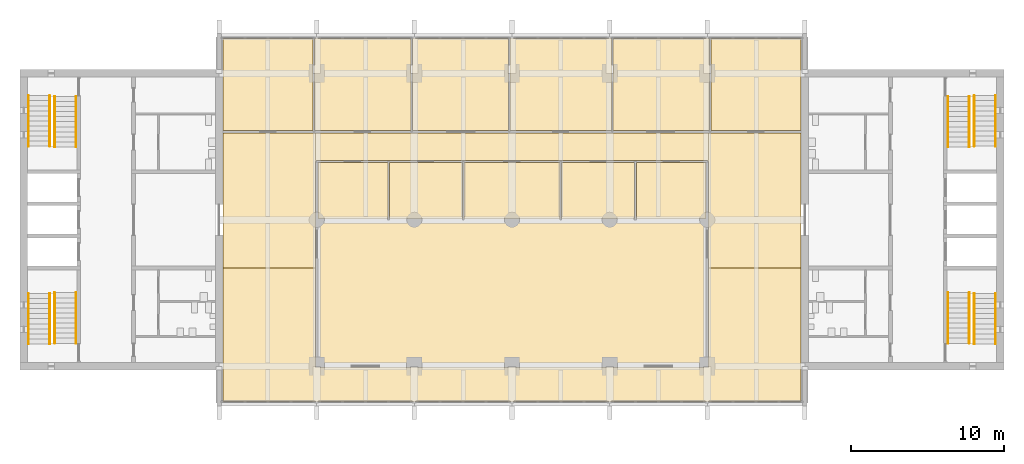
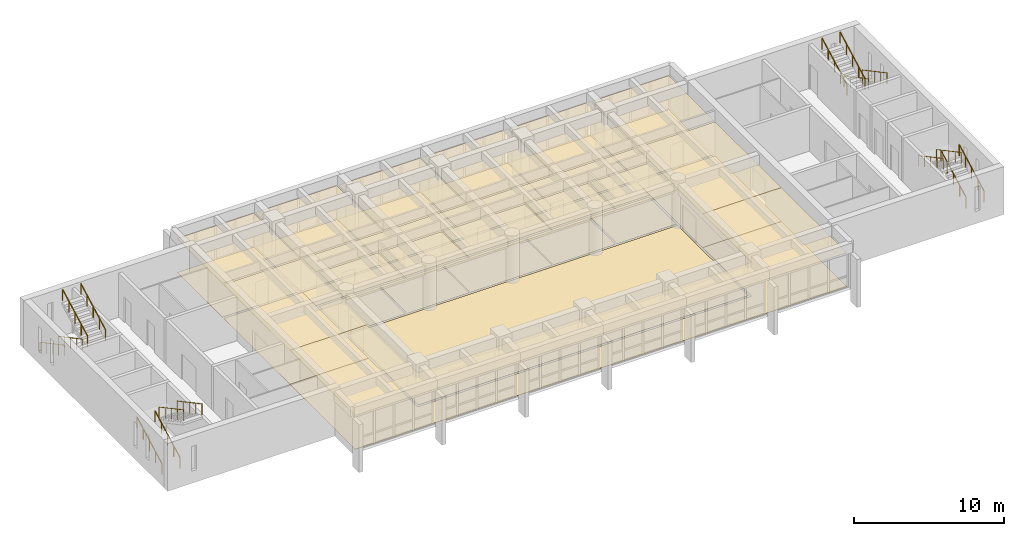
# One storey, part 14 of 15: 31 coverings, 16 railings.
"""IFC4 building model written with IfcOpenShell, lengths in metres."""

from ifc_helpers import new_model, si_unit, direction, frame, origin, origin_2d, place, context, subcontext, project, spatial, polyline, circle, outline, extrude, material, layer, layer_set, type_object, element, save


model = new_model("IFC4")

# Units and contexts
model_context = context("Model", 3, precision=1e-05, world=origin(), true_north=direction((0.0, 1.0)))
body_context = subcontext(model_context, "Body", "Model", "MODEL_VIEW")
ifc_project = project(units=[si_unit("LENGTHUNIT", "METRE"), si_unit("AREAUNIT", "SQUARE_METRE"), si_unit("VOLUMEUNIT", "CUBIC_METRE"), si_unit("PLANEANGLEUNIT", "RADIAN"), si_unit("MASSUNIT", "GRAM", prefix="KILO")], contexts=[model_context])

# Site, building, storey
site_placement = place(None, origin())
site = spatial("IfcSite", under=ifc_project, at=site_placement, CompositionType="ELEMENT")
building_placement = place(site_placement, origin())
building = spatial("IfcBuilding", under=site, at=building_placement, Name="Fogon Plaza Fire Station and Headquarters Tower", CompositionType="ELEMENT")
storey_placement = place(building_placement, frame((0.0, 0.0, 32.699951171875)))
storey = spatial("IfcBuildingStorey", under=building, at=storey_placement, Name="L08", CompositionType="ELEMENT", Elevation=32.699951171875)

# Railings
ifc_material_1 = material(Name="Steel", Category="steel")
railing_type = type_object("IfcRailingType", Name="Stair Handrail 900", PredefinedType="HANDRAIL", material=ifc_material_1)
for number, where, name in (
    (1, (13.10009765625, 35.06005859375, 0.17724609375), "Handrail ST1"),
    (2, (14.5, 35.06005859375, 0.17724609375), "Handrail ST1"),
):
    element("IfcRailing", number, at=place(storey_placement, frame(where)), inside=storey, type_object=railing_type, Name=name, PredefinedType="HANDRAIL", context=body_context, shape_type="SweptSolid", body=[
        extrude(circle(Radius=0.02392578125, at=origin_2d()), frame((0.0, 0.0, 0.8759765625), z_axis=(0.0, 0.881829236777, 0.471568867892), x_axis=(-1.0, 0.0, 0.0)), (0.0, 0.0, 1.0), 3.75927734375),
        extrude(circle(Radius=0.02099609375, at=origin_2d()), origin(), (0.0, 0.0, 1.0), 0.851806640625),
        extrude(circle(Radius=0.02099609375, at=origin_2d()), frame((0.0, 0.82861328125, 0.443115234375)), (0.0, 0.0, 1.0), 0.851806640625),
        extrude(circle(Radius=0.02099609375, at=origin_2d()), frame((0.0, 1.657470703125, 0.88623046875)), (0.0, 0.0, 1.0), 0.851806640625),
        extrude(circle(Radius=0.02099609375, at=origin_2d()), frame((0.0, 2.486328125, 1.32958984375)), (0.0, 0.0, 1.0), 0.851806640625),
        extrude(circle(Radius=0.02099609375, at=origin_2d()), frame((0.0, 3.31494140625, 1.772705078125)), (0.0, 0.0, 1.0), 0.851806640625),
    ])
for number, where, name in (
    (3, (16.22509765625, 38.425048828125, 2.12744140625), "Handrail ST1"),
    (4, (14.824951171875, 38.425048828125, 2.12744140625), "Handrail ST1"),
):
    element("IfcRailing", number, at=place(storey_placement, frame(where)), inside=storey, type_object=railing_type, Name=name, PredefinedType="HANDRAIL", context=body_context, shape_type="SweptSolid", body=[
        extrude(circle(Radius=0.02392578125, at=origin_2d()), frame((0.0, 0.0, 0.8759765625), z_axis=(0.0, -0.881829236777, 0.471568867892), x_axis=(1.0, 0.0, 0.0)), (0.0, 0.0, 1.0), 3.75927734375),
        extrude(circle(Radius=0.02099609375, at=origin_2d()), origin(), (0.0, 0.0, 1.0), 0.851806640625),
        extrude(circle(Radius=0.02099609375, at=origin_2d()), frame((0.0, -0.82861328125, 0.443115234375)), (0.0, 0.0, 1.0), 0.851806640625),
        extrude(circle(Radius=0.02099609375, at=origin_2d()), frame((0.0, -1.657470703125, 0.88623046875)), (0.0, 0.0, 1.0), 0.851806640625),
        extrude(circle(Radius=0.02099609375, at=origin_2d()), frame((0.0, -2.486328125, 1.32958984375)), (0.0, 0.0, 1.0), 0.851806640625),
        extrude(circle(Radius=0.02099609375, at=origin_2d()), frame((0.0, -3.31494140625, 1.772705078125)), (0.0, 0.0, 1.0), 0.851806640625),
    ])
for number, where, name in (
    (5, (13.10009765625, 51.340087890625, 0.17724609375), "Handrail ST2"),
    (6, (14.5, 51.340087890625, 0.17724609375), "Handrail ST2"),
):
    element("IfcRailing", number, at=place(storey_placement, frame(where)), inside=storey, type_object=railing_type, Name=name, PredefinedType="HANDRAIL", context=body_context, shape_type="SweptSolid", body=[
        extrude(circle(Radius=0.02392578125, at=origin_2d()), frame((0.0, 0.0, 0.8759765625), z_axis=(0.0, -0.881843677922, 0.471541862095), x_axis=(1.0, 0.0, 0.0)), (0.0, 0.0, 1.0), 3.75927734375),
        extrude(circle(Radius=0.02099609375, at=origin_2d()), origin(), (0.0, 0.0, 1.0), 0.851806640625),
        extrude(circle(Radius=0.02099609375, at=origin_2d()), frame((0.0, -0.828857421875, 0.443115234375)), (0.0, 0.0, 1.0), 0.851806640625),
        extrude(circle(Radius=0.02099609375, at=origin_2d()), frame((0.0, -1.65771484375, 0.88623046875)), (0.0, 0.0, 1.0), 0.851806640625),
        extrude(circle(Radius=0.02099609375, at=origin_2d()), frame((0.0, -2.486328125, 1.32958984375)), (0.0, 0.0, 1.0), 0.851806640625),
        extrude(circle(Radius=0.02099609375, at=origin_2d()), frame((0.0, -3.315185546875, 1.772705078125)), (0.0, 0.0, 1.0), 0.851806640625),
    ])
for number, where, name in (
    (7, (16.22509765625, 47.97509765625, 2.12744140625), "Handrail ST2"),
    (8, (14.824951171875, 47.97509765625, 2.12744140625), "Handrail ST2"),
    (9, (76.5, 35.06005859375, 0.17724609375), "Handrail ST3"),
    (10, (75.10009765625, 35.06005859375, 0.17724609375), "Handrail ST3"),
):
    element("IfcRailing", number, at=place(storey_placement, frame(where)), inside=storey, type_object=railing_type, Name=name, PredefinedType="HANDRAIL", context=body_context, shape_type="SweptSolid", body=[
        extrude(circle(Radius=0.02392578125, at=origin_2d()), frame((0.0, 0.0, 0.8759765625), z_axis=(0.0, 0.881829236777, 0.471568867892), x_axis=(-1.0, 0.0, 0.0)), (0.0, 0.0, 1.0), 3.75927734375),
        extrude(circle(Radius=0.02099609375, at=origin_2d()), origin(), (0.0, 0.0, 1.0), 0.851806640625),
        extrude(circle(Radius=0.02099609375, at=origin_2d()), frame((0.0, 0.82861328125, 0.443115234375)), (0.0, 0.0, 1.0), 0.851806640625),
        extrude(circle(Radius=0.02099609375, at=origin_2d()), frame((0.0, 1.657470703125, 0.88623046875)), (0.0, 0.0, 1.0), 0.851806640625),
        extrude(circle(Radius=0.02099609375, at=origin_2d()), frame((0.0, 2.486328125, 1.32958984375)), (0.0, 0.0, 1.0), 0.851806640625),
        extrude(circle(Radius=0.02099609375, at=origin_2d()), frame((0.0, 3.31494140625, 1.772705078125)), (0.0, 0.0, 1.0), 0.851806640625),
    ])
for number, where, name in (
    (11, (73.375, 38.425048828125, 2.12744140625), "Handrail ST3"),
    (12, (74.77490234375, 38.425048828125, 2.12744140625), "Handrail ST3"),
):
    element("IfcRailing", number, at=place(storey_placement, frame(where)), inside=storey, type_object=railing_type, Name=name, PredefinedType="HANDRAIL", context=body_context, shape_type="SweptSolid", body=[
        extrude(circle(Radius=0.02392578125, at=origin_2d()), frame((0.0, 0.0, 0.8759765625), z_axis=(0.0, -0.881829236777, 0.471568867892), x_axis=(1.0, 0.0, 0.0)), (0.0, 0.0, 1.0), 3.75927734375),
        extrude(circle(Radius=0.02099609375, at=origin_2d()), origin(), (0.0, 0.0, 1.0), 0.851806640625),
        extrude(circle(Radius=0.02099609375, at=origin_2d()), frame((0.0, -0.82861328125, 0.443115234375)), (0.0, 0.0, 1.0), 0.851806640625),
        extrude(circle(Radius=0.02099609375, at=origin_2d()), frame((0.0, -1.657470703125, 0.88623046875)), (0.0, 0.0, 1.0), 0.851806640625),
        extrude(circle(Radius=0.02099609375, at=origin_2d()), frame((0.0, -2.486328125, 1.32958984375)), (0.0, 0.0, 1.0), 0.851806640625),
        extrude(circle(Radius=0.02099609375, at=origin_2d()), frame((0.0, -3.31494140625, 1.772705078125)), (0.0, 0.0, 1.0), 0.851806640625),
    ])
for number, where, name in (
    (13, (76.5, 51.340087890625, 0.17724609375), "Handrail ST4"),
    (14, (75.10009765625, 51.340087890625, 0.17724609375), "Handrail ST4"),
):
    element("IfcRailing", number, at=place(storey_placement, frame(where)), inside=storey, type_object=railing_type, Name=name, PredefinedType="HANDRAIL", context=body_context, shape_type="SweptSolid", body=[
        extrude(circle(Radius=0.02392578125, at=origin_2d()), frame((0.0, 0.0, 0.8759765625), z_axis=(0.0, -0.881843677922, 0.471541862095), x_axis=(1.0, 0.0, 0.0)), (0.0, 0.0, 1.0), 3.75927734375),
        extrude(circle(Radius=0.02099609375, at=origin_2d()), origin(), (0.0, 0.0, 1.0), 0.851806640625),
        extrude(circle(Radius=0.02099609375, at=origin_2d()), frame((0.0, -0.828857421875, 0.443115234375)), (0.0, 0.0, 1.0), 0.851806640625),
        extrude(circle(Radius=0.02099609375, at=origin_2d()), frame((0.0, -1.65771484375, 0.88623046875)), (0.0, 0.0, 1.0), 0.851806640625),
        extrude(circle(Radius=0.02099609375, at=origin_2d()), frame((0.0, -2.486328125, 1.32958984375)), (0.0, 0.0, 1.0), 0.851806640625),
        extrude(circle(Radius=0.02099609375, at=origin_2d()), frame((0.0, -3.315185546875, 1.772705078125)), (0.0, 0.0, 1.0), 0.851806640625),
    ])
for number, where, name in (
    (15, (73.375, 47.97509765625, 2.12744140625), "Handrail ST4"),
    (16, (74.77490234375, 47.97509765625, 2.12744140625), "Handrail ST4"),
):
    element("IfcRailing", number, at=place(storey_placement, frame(where)), inside=storey, type_object=railing_type, Name=name, PredefinedType="HANDRAIL", context=body_context, shape_type="SweptSolid", body=[
        extrude(circle(Radius=0.02392578125, at=origin_2d()), frame((0.0, 0.0, 0.8759765625), z_axis=(0.0, 0.881829236777, 0.471568867892), x_axis=(-1.0, 0.0, 0.0)), (0.0, 0.0, 1.0), 3.75927734375),
        extrude(circle(Radius=0.02099609375, at=origin_2d()), origin(), (0.0, 0.0, 1.0), 0.851806640625),
        extrude(circle(Radius=0.02099609375, at=origin_2d()), frame((0.0, 0.82861328125, 0.443115234375)), (0.0, 0.0, 1.0), 0.851806640625),
        extrude(circle(Radius=0.02099609375, at=origin_2d()), frame((0.0, 1.657470703125, 0.88623046875)), (0.0, 0.0, 1.0), 0.851806640625),
        extrude(circle(Radius=0.02099609375, at=origin_2d()), frame((0.0, 2.486328125, 1.32958984375)), (0.0, 0.0, 1.0), 0.851806640625),
        extrude(circle(Radius=0.02099609375, at=origin_2d()), frame((0.0, 3.31494140625, 1.772705078125)), (0.0, 0.0, 1.0), 0.851806640625),
    ])

# Coverings
ifc_material_2 = material(Name="Acoustic ceiling tile")
ifc_layer_1 = layer(ifc_material_2, 0.050048828125)
ifc_layer_set_1 = layer_set([ifc_layer_1], Name="Acoustic ceiling tile")
covering_type_1 = type_object("IfcCoveringType", Name="Tower acoustic ceiling", PredefinedType="CEILING", material=ifc_layer_set_1)
covering_1_placement = place(storey_placement, frame((0.0, 0.0, 2.72998046875)))
element("IfcCovering", 17, at=covering_1_placement, inside=storey, type_object=covering_type_1, Name="cov-cl-L08-03", PredefinedType="CEILING", context=body_context, shape_type="SweptSolid", body=[
    extrude(outline(polyline([(47.96240234375, 43.27490234375), (47.96240234375, 46.949951171875), (41.637451171875, 46.949951171875), (41.637451171875, 43.27490234375), (47.96240234375, 43.27490234375)])), origin(), (0.0, 0.0, 1.0), 0.050048828125),
])
covering_2_placement = place(storey_placement, frame((0.0, 0.0, 2.72998046875)))
element("IfcCovering", 18, at=covering_2_placement, inside=storey, type_object=covering_type_1, Name="cov-cl-L08-04", PredefinedType="CEILING", context=body_context, shape_type="SweptSolid", body=[
    extrude(outline(polyline([(52.827392578125, 43.27490234375), (52.827392578125, 46.949951171875), (48.03759765625, 46.949951171875), (48.03759765625, 43.27490234375), (52.827392578125, 43.27490234375)])), origin(), (0.0, 0.0, 1.0), 0.050048828125),
])
covering_3_placement = place(storey_placement, frame((0.0, 0.0, 2.72998046875)))
element("IfcCovering", 19, at=covering_3_placement, inside=storey, type_object=covering_type_1, Name="cov-cl-L08-09", PredefinedType="CEILING", context=body_context, shape_type="SweptSolid", body=[
    extrude(outline(polyline([(51.342529296875, 49.050048828125), (51.342529296875, 55.10009765625), (44.657470703125, 55.10009765625), (44.657470703125, 49.050048828125), (51.342529296875, 49.050048828125)])), origin(), (0.0, 0.0, 1.0), 0.050048828125),
])
ifc_material_3 = material(Name="Carpet tile")
ifc_layer_2 = layer(ifc_material_3, 0.011962890625)
ifc_layer_set_2 = layer_set([ifc_layer_2], Name="Carpet tile")
covering_type_2 = type_object("IfcCoveringType", Name="Tower carpet tile floor", PredefinedType="FLOORING", material=ifc_layer_set_2)
covering_4_placement = place(storey_placement, origin())
element("IfcCovering", 20, at=covering_4_placement, inside=storey, type_object=covering_type_2, Name="cov-fl-L08-01", PredefinedType="FLOORING", context=body_context, shape_type="SweptSolid", body=[
    extrude(outline(polyline([(36.659912109375, 43.27490234375), (36.659912109375, 46.949951171875), (32.074951171875, 46.949951171875), (32.074951171875, 43.27490234375), (36.659912109375, 43.27490234375)])), origin(), (0.0, 0.0, 1.0), 0.011962890625),
])
covering_5_placement = place(storey_placement, origin())
element("IfcCovering", 21, at=covering_5_placement, inside=storey, type_object=covering_type_2, Name="cov-fl-L08-02", PredefinedType="FLOORING", context=body_context, shape_type="SweptSolid", body=[
    extrude(outline(polyline([(41.5625, 43.27490234375), (41.5625, 46.949951171875), (36.760009765625, 46.949951171875), (36.760009765625, 43.27490234375), (41.5625, 43.27490234375)])), origin(), (0.0, 0.0, 1.0), 0.011962890625),
])
covering_6_placement = place(storey_placement, origin())
element("IfcCovering", 22, at=covering_6_placement, inside=storey, type_object=covering_type_2, Name="cov-fl-L08-03", PredefinedType="FLOORING", context=body_context, shape_type="SweptSolid", body=[
    extrude(outline(polyline([(47.96240234375, 43.27490234375), (47.96240234375, 46.949951171875), (41.637451171875, 46.949951171875), (41.637451171875, 43.27490234375), (47.96240234375, 43.27490234375)])), origin(), (0.0, 0.0, 1.0), 0.011962890625),
])
covering_7_placement = place(storey_placement, origin())
element("IfcCovering", 23, at=covering_7_placement, inside=storey, type_object=covering_type_2, Name="cov-fl-L08-04", PredefinedType="FLOORING", context=body_context, shape_type="SweptSolid", body=[
    extrude(outline(polyline([(52.827392578125, 43.27490234375), (52.827392578125, 46.949951171875), (48.03759765625, 46.949951171875), (48.03759765625, 43.27490234375), (52.827392578125, 43.27490234375)])), origin(), (0.0, 0.0, 1.0), 0.011962890625),
])
covering_8_placement = place(storey_placement, origin())
element("IfcCovering", 24, at=covering_8_placement, inside=storey, type_object=covering_type_2, Name="cov-fl-L08-06", PredefinedType="FLOORING", context=body_context, shape_type="SweptSolid", body=[
    extrude(outline(polyline([(31.77001953125, 49.050048828125), (31.77001953125, 55.10009765625), (25.85009765625, 55.10009765625), (25.85009765625, 49.050048828125), (31.77001953125, 49.050048828125)])), origin(), (0.0, 0.0, 1.0), 0.011962890625),
])
covering_9_placement = place(storey_placement, origin())
element("IfcCovering", 25, at=covering_9_placement, inside=storey, type_object=covering_type_2, Name="cov-fl-L08-07", PredefinedType="FLOORING", context=body_context, shape_type="SweptSolid", body=[
    extrude(outline(polyline([(38.169921875, 49.050048828125), (38.169921875, 55.10009765625), (31.8701171875, 55.10009765625), (31.8701171875, 49.050048828125), (38.169921875, 49.050048828125)])), origin(), (0.0, 0.0, 1.0), 0.011962890625),
])
covering_10_placement = place(storey_placement, origin())
element("IfcCovering", 26, at=covering_10_placement, inside=storey, type_object=covering_type_2, Name="cov-fl-L08-08", PredefinedType="FLOORING", context=body_context, shape_type="SweptSolid", body=[
    extrude(outline(polyline([(44.58251953125, 49.050048828125), (44.58251953125, 55.10009765625), (38.27001953125, 55.10009765625), (38.27001953125, 49.050048828125), (44.58251953125, 49.050048828125)])), origin(), (0.0, 0.0, 1.0), 0.011962890625),
])
covering_11_placement = place(storey_placement, origin())
element("IfcCovering", 27, at=covering_11_placement, inside=storey, type_object=covering_type_2, Name="cov-fl-L08-09", PredefinedType="FLOORING", context=body_context, shape_type="SweptSolid", body=[
    extrude(outline(polyline([(51.342529296875, 49.050048828125), (51.342529296875, 55.10009765625), (44.657470703125, 55.10009765625), (44.657470703125, 49.050048828125), (51.342529296875, 49.050048828125)])), origin(), (0.0, 0.0, 1.0), 0.011962890625),
])
covering_12_placement = place(storey_placement, origin())
element("IfcCovering", 28, at=covering_12_placement, inside=storey, type_object=covering_type_2, Name="cov-fl-L08-10", PredefinedType="FLOORING", context=body_context, shape_type="SweptSolid", body=[
    extrude(outline(polyline([(57.72998046875, 49.050048828125), (57.72998046875, 55.10009765625), (51.41748046875, 55.10009765625), (51.41748046875, 49.050048828125), (57.72998046875, 49.050048828125)])), origin(), (0.0, 0.0, 1.0), 0.011962890625),
])
covering_13_placement = place(storey_placement, origin())
element("IfcCovering", 29, at=covering_13_placement, inside=storey, type_object=covering_type_2, Name="cov-fl-L08-11", PredefinedType="FLOORING", context=body_context, shape_type="SweptSolid", body=[
    extrude(outline(polyline([(63.75, 49.050048828125), (63.75, 55.10009765625), (57.830078125, 55.10009765625), (57.830078125, 49.050048828125), (63.75, 49.050048828125)])), origin(), (0.0, 0.0, 1.0), 0.011962890625),
])
ifc_material_4 = material(Name="Ceramic tile")
ifc_layer_3 = layer(ifc_material_4, 0.02001953125)
ifc_layer_set_3 = layer_set([ifc_layer_3], Name="Ceramic tile")
covering_type_3 = type_object("IfcCoveringType", Name="Tower ceramic tile floor", PredefinedType="FLOORING", material=ifc_layer_set_3)
covering_14_placement = place(storey_placement, origin())
element("IfcCovering", 30, at=covering_14_placement, inside=storey, type_object=covering_type_3, Name="cov-fl-L08-05", PredefinedType="FLOORING", context=body_context, shape_type="SweptSolid", body=[
    extrude(outline(polyline([(57.52490234375, 43.27490234375), (57.52490234375, 46.949951171875), (52.952392578125, 46.949951171875), (52.952392578125, 43.27490234375), (57.52490234375, 43.27490234375)])), origin(), (0.0, 0.0, 1.0), 0.02001953125),
])
ifc_material_5 = material(Name="Heavy duty carpet tile")
ifc_layer_4 = layer(ifc_material_5, 0.013916015625)
ifc_layer_set_4 = layer_set([ifc_layer_4], Name="Heavy duty carpet tile")
covering_type_4 = type_object("IfcCoveringType", Name="Tower corridor carpet floor", PredefinedType="FLOORING", material=ifc_layer_set_4)
covering_15_placement = place(storey_placement, origin())
element("IfcCovering", 31, at=covering_15_placement, inside=storey, type_object=covering_type_4, Name="cov-fl-L08-13", PredefinedType="FLOORING", context=body_context, shape_type="SweptSolid", body=[
    extrude(outline(polyline([(31.925048828125, 40.050048828125), (31.925048828125, 48.89990234375), (25.85009765625, 48.89990234375), (25.85009765625, 40.050048828125), (31.925048828125, 40.050048828125)])), origin(), (0.0, 0.0, 1.0), 0.01416015625),
])
covering_16_placement = place(storey_placement, origin())
element("IfcCovering", 32, at=covering_16_placement, inside=storey, type_object=covering_type_4, Name="cov-fl-L08-14", PredefinedType="FLOORING", context=body_context, shape_type="SweptSolid", body=[
    extrude(outline(polyline([(63.75, 40.050048828125), (63.75, 48.89990234375), (57.675048828125, 48.89990234375), (57.675048828125, 40.050048828125), (63.75, 40.050048828125)])), origin(), (0.0, 0.0, 1.0), 0.01416015625),
])
covering_17_placement = place(storey_placement, origin())
element("IfcCovering", 33, at=covering_17_placement, inside=storey, type_object=covering_type_4, Name="cov-fl-L08-15", PredefinedType="FLOORING", context=body_context, shape_type="SweptSolid", body=[
    extrude(outline(polyline([(57.675048828125, 47.10009765625), (57.675048828125, 48.89990234375), (31.925048828125, 48.89990234375), (31.925048828125, 47.10009765625), (57.675048828125, 47.10009765625)])), origin(), (0.0, 0.0, 1.0), 0.01416015625),
])
covering_18_placement = place(storey_placement, origin())
element("IfcCovering", 34, at=covering_18_placement, inside=storey, type_object=covering_type_4, Name="cov-fl-L08-16", PredefinedType="FLOORING", context=body_context, shape_type="SweptSolid", body=[
    extrude(outline(polyline([(63.75, 31.300048828125), (63.75, 40.050048828125), (57.675048828125, 40.050048828125), (57.675048828125, 33.52490234375), (31.925048828125, 33.52490234375), (31.925048828125, 40.050048828125), (25.85009765625, 40.050048828125), (25.85009765625, 31.300048828125), (63.75, 31.300048828125)])), origin(), (0.0, 0.0, 1.0), 0.01416015625),
])
ifc_material_6 = material(Name="Moisture resistant plasterboard ceiling")
ifc_layer_5 = layer(ifc_material_6, 0.034912109375)
ifc_layer_set_5 = layer_set([ifc_layer_5], Name="Moisture resistant plasterboard ceiling")
covering_type_5 = type_object("IfcCoveringType", Name="Tower moisture resistant ceiling", PredefinedType="CEILING", material=ifc_layer_set_5)
covering_19_placement = place(storey_placement, frame((0.0, 0.0, 2.7451171875)))
element("IfcCovering", 35, at=covering_19_placement, inside=storey, type_object=covering_type_5, Name="cov-cl-L08-05", PredefinedType="CEILING", context=body_context, shape_type="SweptSolid", body=[
    extrude(outline(polyline([(57.52490234375, 43.27490234375), (57.52490234375, 46.949951171875), (52.952392578125, 46.949951171875), (52.952392578125, 43.27490234375), (57.52490234375, 43.27490234375)])), origin(), (0.0, 0.0, 1.0), 0.034912109375),
])
ifc_material_7 = material(Name="Plasterboard ceiling")
ifc_layer_6 = layer(ifc_material_7, 0.030029296875)
ifc_layer_set_6 = layer_set([ifc_layer_6], Name="Plasterboard ceiling")
covering_type_6 = type_object("IfcCoveringType", Name="Tower plasterboard ceiling", PredefinedType="CEILING", material=ifc_layer_set_6)
covering_20_placement = place(storey_placement, frame((0.0, 0.0, 2.75)))
element("IfcCovering", 36, at=covering_20_placement, inside=storey, type_object=covering_type_6, Name="cov-cl-L08-13", PredefinedType="CEILING", context=body_context, shape_type="SweptSolid", body=[
    extrude(outline(polyline([(31.925048828125, 40.050048828125), (31.925048828125, 48.89990234375), (25.85009765625, 48.89990234375), (25.85009765625, 40.050048828125), (31.925048828125, 40.050048828125)])), origin(), (0.0, 0.0, 1.0), 0.030029296875),
])
covering_21_placement = place(storey_placement, frame((0.0, 0.0, 2.75)))
element("IfcCovering", 37, at=covering_21_placement, inside=storey, type_object=covering_type_6, Name="cov-cl-L08-14", PredefinedType="CEILING", context=body_context, shape_type="SweptSolid", body=[
    extrude(outline(polyline([(63.75, 40.050048828125), (63.75, 48.89990234375), (57.675048828125, 48.89990234375), (57.675048828125, 40.050048828125), (63.75, 40.050048828125)])), origin(), (0.0, 0.0, 1.0), 0.030029296875),
])
covering_22_placement = place(storey_placement, frame((0.0, 0.0, 2.75)))
element("IfcCovering", 38, at=covering_22_placement, inside=storey, type_object=covering_type_6, Name="cov-cl-L08-15", PredefinedType="CEILING", context=body_context, shape_type="SweptSolid", body=[
    extrude(outline(polyline([(57.675048828125, 47.10009765625), (57.675048828125, 48.89990234375), (31.925048828125, 48.89990234375), (31.925048828125, 47.10009765625), (57.675048828125, 47.10009765625)])), origin(), (0.0, 0.0, 1.0), 0.030029296875),
])
covering_23_placement = place(storey_placement, frame((0.0, 0.0, 2.75)))
element("IfcCovering", 39, at=covering_23_placement, inside=storey, type_object=covering_type_6, Name="cov-cl-L08-16", PredefinedType="CEILING", context=body_context, shape_type="SweptSolid", body=[
    extrude(outline(polyline([(63.75, 31.300048828125), (63.75, 40.050048828125), (57.675048828125, 40.050048828125), (57.675048828125, 33.52490234375), (31.925048828125, 33.52490234375), (31.925048828125, 40.050048828125), (25.85009765625, 40.050048828125), (25.85009765625, 31.300048828125), (63.75, 31.300048828125)])), origin(), (0.0, 0.0, 1.0), 0.030029296875),
])
ifc_material_8 = material(Name="Mineral fibre ceiling tile")
ifc_layer_7 = layer(ifc_material_8, 0.0400390625)
ifc_layer_set_7 = layer_set([ifc_layer_7], Name="Mineral fibre ceiling tile")
covering_type_7 = type_object("IfcCoveringType", Name="Tower suspended tile ceiling", PredefinedType="CEILING", material=ifc_layer_set_7)
covering_24_placement = place(storey_placement, frame((0.0, 0.0, 2.739990234375)))
element("IfcCovering", 40, at=covering_24_placement, inside=storey, type_object=covering_type_7, Name="cov-cl-L08-01", PredefinedType="CEILING", context=body_context, shape_type="SweptSolid", body=[
    extrude(outline(polyline([(36.659912109375, 43.27490234375), (36.659912109375, 46.949951171875), (32.074951171875, 46.949951171875), (32.074951171875, 43.27490234375), (36.659912109375, 43.27490234375)])), origin(), (0.0, 0.0, 1.0), 0.0400390625),
])
covering_25_placement = place(storey_placement, frame((0.0, 0.0, 2.739990234375)))
element("IfcCovering", 41, at=covering_25_placement, inside=storey, type_object=covering_type_7, Name="cov-cl-L08-02", PredefinedType="CEILING", context=body_context, shape_type="SweptSolid", body=[
    extrude(outline(polyline([(41.5625, 43.27490234375), (41.5625, 46.949951171875), (36.760009765625, 46.949951171875), (36.760009765625, 43.27490234375), (41.5625, 43.27490234375)])), origin(), (0.0, 0.0, 1.0), 0.0400390625),
])
covering_26_placement = place(storey_placement, frame((0.0, 0.0, 2.739990234375)))
element("IfcCovering", 42, at=covering_26_placement, inside=storey, type_object=covering_type_7, Name="cov-cl-L08-06", PredefinedType="CEILING", context=body_context, shape_type="SweptSolid", body=[
    extrude(outline(polyline([(31.77001953125, 49.050048828125), (31.77001953125, 55.10009765625), (25.85009765625, 55.10009765625), (25.85009765625, 49.050048828125), (31.77001953125, 49.050048828125)])), origin(), (0.0, 0.0, 1.0), 0.0400390625),
])
covering_27_placement = place(storey_placement, frame((0.0, 0.0, 2.739990234375)))
element("IfcCovering", 43, at=covering_27_placement, inside=storey, type_object=covering_type_7, Name="cov-cl-L08-07", PredefinedType="CEILING", context=body_context, shape_type="SweptSolid", body=[
    extrude(outline(polyline([(38.169921875, 49.050048828125), (38.169921875, 55.10009765625), (31.8701171875, 55.10009765625), (31.8701171875, 49.050048828125), (38.169921875, 49.050048828125)])), origin(), (0.0, 0.0, 1.0), 0.0400390625),
])
covering_28_placement = place(storey_placement, frame((0.0, 0.0, 2.739990234375)))
element("IfcCovering", 44, at=covering_28_placement, inside=storey, type_object=covering_type_7, Name="cov-cl-L08-08", PredefinedType="CEILING", context=body_context, shape_type="SweptSolid", body=[
    extrude(outline(polyline([(44.58251953125, 49.050048828125), (44.58251953125, 55.10009765625), (38.27001953125, 55.10009765625), (38.27001953125, 49.050048828125), (44.58251953125, 49.050048828125)])), origin(), (0.0, 0.0, 1.0), 0.0400390625),
])
covering_29_placement = place(storey_placement, frame((0.0, 0.0, 2.739990234375)))
element("IfcCovering", 45, at=covering_29_placement, inside=storey, type_object=covering_type_7, Name="cov-cl-L08-10", PredefinedType="CEILING", context=body_context, shape_type="SweptSolid", body=[
    extrude(outline(polyline([(57.72998046875, 49.050048828125), (57.72998046875, 55.10009765625), (51.41748046875, 55.10009765625), (51.41748046875, 49.050048828125), (57.72998046875, 49.050048828125)])), origin(), (0.0, 0.0, 1.0), 0.0400390625),
])
covering_30_placement = place(storey_placement, frame((0.0, 0.0, 2.739990234375)))
element("IfcCovering", 46, at=covering_30_placement, inside=storey, type_object=covering_type_7, Name="cov-cl-L08-11", PredefinedType="CEILING", context=body_context, shape_type="SweptSolid", body=[
    extrude(outline(polyline([(63.75, 49.050048828125), (63.75, 55.10009765625), (57.830078125, 55.10009765625), (57.830078125, 49.050048828125), (63.75, 49.050048828125)])), origin(), (0.0, 0.0, 1.0), 0.0400390625),
])
ifc_material_9 = material(Name="Engineered timber flooring", Category="wood")
ifc_layer_8 = layer(ifc_material_9, 0.01806640625)
ifc_layer_set_8 = layer_set([ifc_layer_8], Name="Engineered timber flooring")
covering_type_8 = type_object("IfcCoveringType", Name="Tower timber floor", PredefinedType="FLOORING", material=ifc_layer_set_8)
covering_31_placement = place(storey_placement, origin())
element("IfcCovering", 47, at=covering_31_placement, inside=storey, type_object=covering_type_8, Name="cov-fl-L08-12", PredefinedType="FLOORING", context=body_context, shape_type="SweptSolid", body=[
    extrude(outline(polyline([(57.52490234375, 33.675048828125), (57.52490234375, 43.125), (32.074951171875, 43.125), (32.074951171875, 33.675048828125), (57.52490234375, 33.675048828125)])), origin(), (0.0, 0.0, 1.0), 0.01806640625),
])

save(model, "model.ifc")
